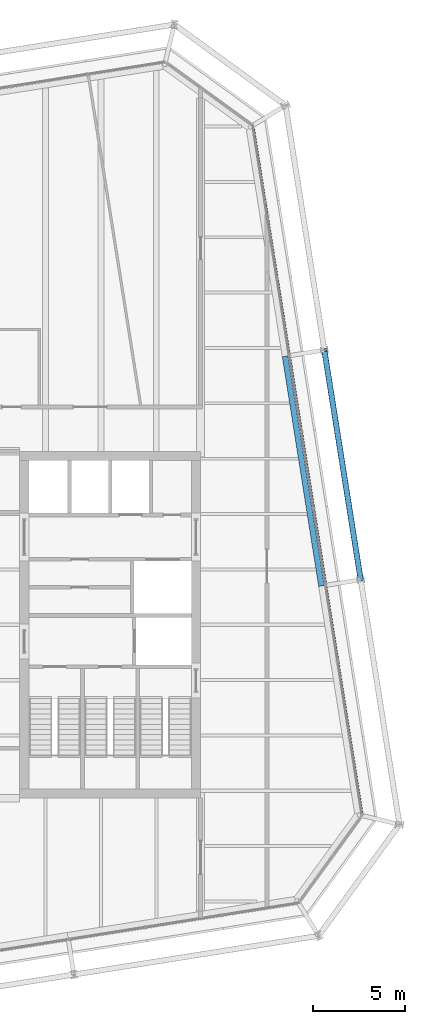
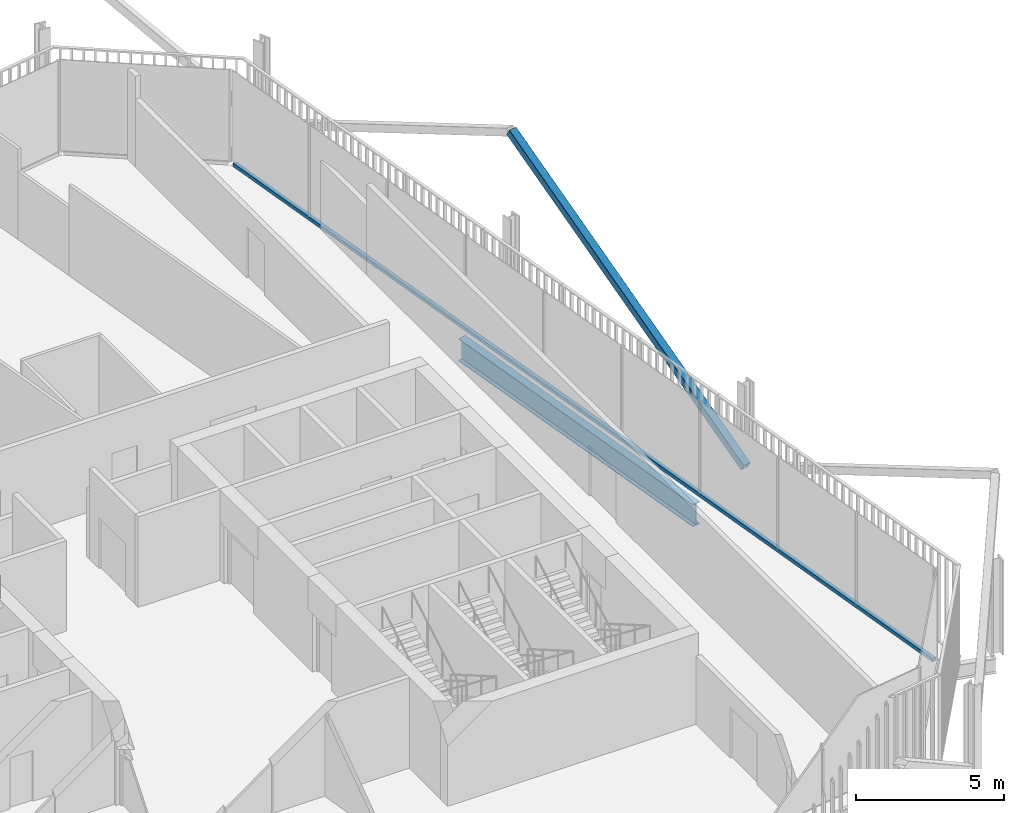
# One storey, part 10 of 21: 2 members, 1 beam, 1 element without a shape of its own.
"""IFC4 building model written with IfcOpenShell, lengths in metres."""

from ifc_helpers import new_model, si_unit, direction, frame, origin, origin_2d, place, context, subcontext, project, spatial, rectangle, hollow_rectangle, i_section, extrude, material, layer, layer_set, material_profile, profile_set, type_object, element, aggregate, save


model = new_model("IFC4")

# Units and contexts
model_context = context("Model", 3, precision=1e-05, world=origin(), true_north=direction((0.0, 1.0)))
body_context = subcontext(model_context, "Body", "Model", "MODEL_VIEW")
ifc_project = project(units=[si_unit("LENGTHUNIT", "METRE"), si_unit("AREAUNIT", "SQUARE_METRE"), si_unit("VOLUMEUNIT", "CUBIC_METRE"), si_unit("PLANEANGLEUNIT", "RADIAN"), si_unit("MASSUNIT", "GRAM", prefix="KILO")], contexts=[model_context])

# Site, building, storey
site_placement = place(None, origin())
site = spatial("IfcSite", under=ifc_project, at=site_placement, CompositionType="ELEMENT")
building_placement = place(site_placement, origin())
building = spatial("IfcBuilding", under=site, at=building_placement, Name="Millrace Tower", CompositionType="ELEMENT")
storey_placement = place(building_placement, frame((0.0, 0.0, 255.199951171875)))
storey = spatial("IfcBuildingStorey", under=building, at=storey_placement, Name="L58", CompositionType="ELEMENT", Elevation=255.199951171875)

# Curtain wall, member
ifc_material_1 = material(Name="Aluminium and glass", Category="aluminium")
ifc_layer = layer(ifc_material_1, 0.14990234375)
ifc_layer_set = layer_set([ifc_layer], Name="Aluminium and glass")
curtain_wall_type = type_object("IfcCurtainWallType", Name="CW-1 office vision curtain wall", PredefinedType="NOTDEFINED", material=ifc_layer_set)
curtain_wall_placement = place(storey_placement, origin())
curtain_wall = element("IfcCurtainWall", 1, at=curtain_wall_placement, inside=storey, type_object=curtain_wall_type, Name="Curtain wall D-F04 L58", PredefinedType="NOTDEFINED")
ifc_material_2 = material(Name="Aluminium", Category="aluminium")
ifc_material_profile_1 = material_profile(ifc_material_2, rectangle(XDim=0.14990234375, YDim=0.139892578125, at=origin_2d()))
ifc_profile_set_1 = profile_set([ifc_material_profile_1], Name="Aluminium")
member_type_1 = type_object("IfcMemberType", Name="CW-1 office vision curtain wall transom", PredefinedType="USERDEFINED", material=ifc_profile_set_1)
member_1_placement = place(storey_placement, frame((23.1318359375, -10.208740234375, 0.070068359375), z_axis=(-0.156432359726, 0.987688674042, 0.0), x_axis=(-0.987688674042, -0.156432359726, 0.0)))
member_1 = element("IfcMember", 2, at=member_1_placement, type_object=member_type_1, Name="CW1 transom D-F04.1", ObjectType="TRANSOM", PredefinedType="USERDEFINED", context=body_context, shape_type="SweptSolid", body=[
    extrude(rectangle(XDim=0.14990234375, YDim=0.139892578125, at=origin_2d()), origin(), (0.0, 0.0, 1.0), 37.599853515625),
])
aggregate(curtain_wall, [member_1])

# Member
ifc_material_3 = material(Name="Steel ASTM A500 Grade C", Category="steel")
ifc_material_profile_2 = material_profile(ifc_material_3, hollow_rectangle(XDim=0.3046875, YDim=0.3046875, WallThickness=0.009521484375, InnerFilletRadius=0.004638671875, OuterFilletRadius=0.014404296875, at=origin_2d()))
ifc_profile_set_2 = profile_set([ifc_material_profile_2], Name="Steel ASTM A500 Grade C")
member_type_2 = type_object("IfcMemberType", Name="Exoskeleton brace HSS12x12x3/8", PredefinedType="BRACE", material=ifc_profile_set_2)
member_2_placement = place(storey_placement, frame((23.07763671875, 2.4384765625, 0.400146484375), z_axis=(-0.136740080373, 0.863395126588, 0.485644937998), x_axis=(-0.987689802912, -0.156425232058, 0.0)))
element("IfcMember", 3, at=member_2_placement, inside=storey, type_object=member_type_2, Name="BRC-D-L58-07", PredefinedType="BRACE", context=body_context, shape_type="SweptSolid", body=[
    extrude(hollow_rectangle(XDim=0.3046875, YDim=0.3046875, WallThickness=0.009521484375, InnerFilletRadius=0.004638671875, OuterFilletRadius=0.014404296875, at=origin_2d()), origin(), (0.0, 0.0, 1.0), 14.413818359375),
])

# Beam
ifc_material_4 = material(Name="Steel ASTM A992 Grade 50", Category="steel")
ifc_material_profile_3 = material_profile(ifc_material_4, i_section(OverallWidth=0.307373046875, OverallDepth=0.927001953125, WebThickness=0.01953125, FlangeThickness=0.031982421875, FilletRadius=0.01904296875, at=origin_2d()))
ifc_profile_set_3 = profile_set([ifc_material_profile_3], Name="Steel ASTM A992 Grade 50")
beam_type = type_object("IfcBeamType", Name="Ring beam medium span W36x194", PredefinedType="SPANDREL", material=ifc_profile_set_3)
beam_placement = place(storey_placement, frame((18.9794921875, 14.54638671875, -0.62353515625), z_axis=(0.1564441342, -0.987686809102, 0.0), x_axis=(0.987686809102, 0.1564441342, 0.0)))
element("IfcBeam", 4, at=beam_placement, inside=storey, type_object=beam_type, Name="RNG-D-L58-S1-10", PredefinedType="SPANDREL", context=body_context, shape_type="SweptSolid", body=[
    extrude(i_section(OverallWidth=0.307373046875, OverallDepth=0.927001953125, WebThickness=0.01953125, FlangeThickness=0.031982421875, FilletRadius=0.01904296875, at=origin_2d()), origin(), (0.0, 0.0, 1.0), 12.599853515625),
])

save(model, "model.ifc")
